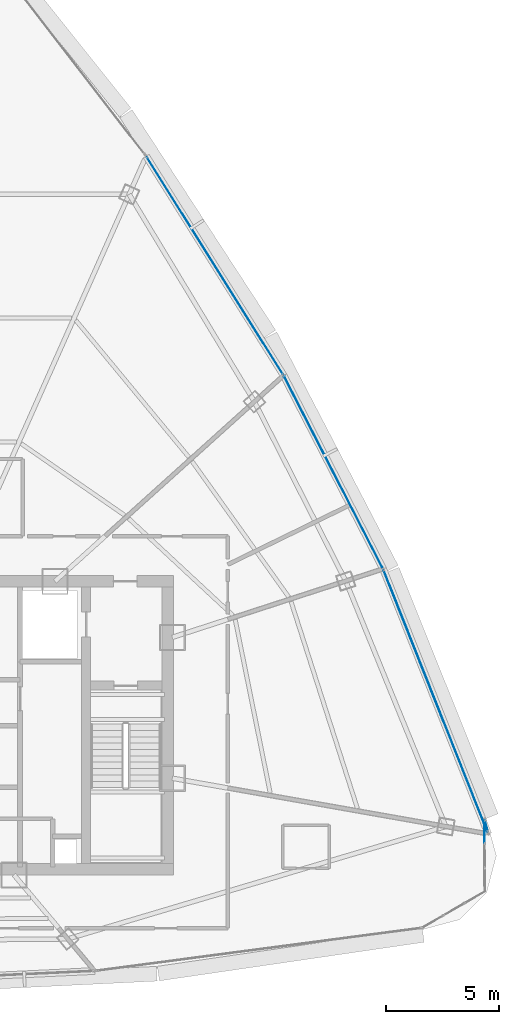
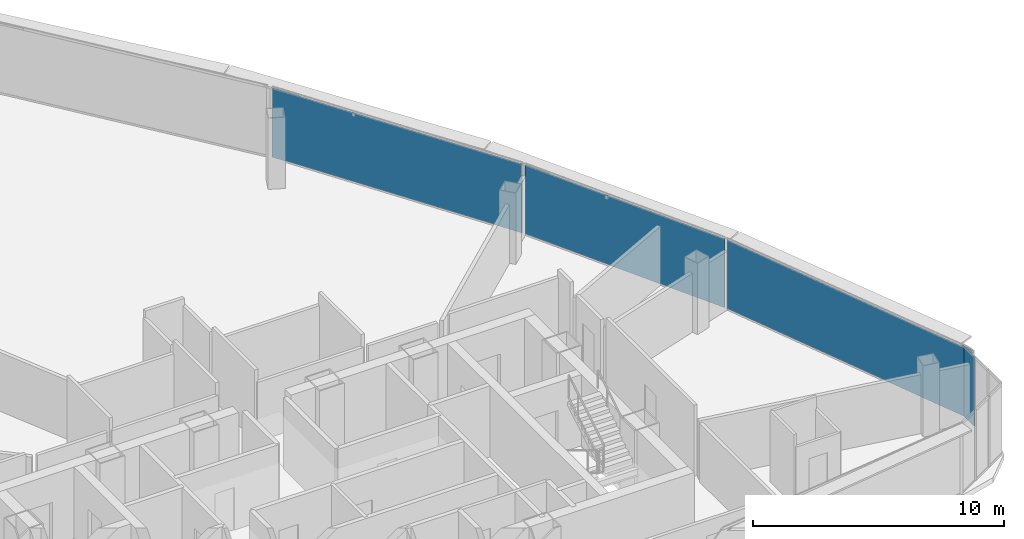
# One storey, part 23 of 29: 5 plates, 5 elements without a shape of their own.
"""IFC4 building model written with IfcOpenShell, lengths in metres."""

import ifcopenshell
import ifcopenshell.guid

model = None  # the IFC model being written
_history = None  # IfcOwnerHistory: only IFC2X3 demands one
_inside = {}  # id of a spatial element -> (the spatial element, [elements in it])
_under = {}  # id of a project, library or spatial element -> (it, [spatial elements below it])
_declared = {}  # id of a project -> (the project, [libraries it declares])
_typed = {}  # id of a type object -> (the type object, [elements of that type])
_made_of = {}  # id of a material, layer set ... -> (it, [elements and type objects made of it])


def new_model(schema):
    """Start an empty IFC model of exactly this schema.

    Asked for "IFC4X3", IfcOpenShell would pick the latest addendum, in which some entities
    have other attributes; the version numbers below select the first issue.
    IFC2X3 requires an IfcOwnerHistory on every rooted entity: one is made here for all.
    """
    global model, _history
    if schema == "IFC4X3":
        model = ifcopenshell.file(schema_version=(4, 3, 0, 0))
    else:
        model = ifcopenshell.file(schema=schema)
    _inside.clear()
    _under.clear()
    _declared.clear()
    _typed.clear()
    _made_of.clear()
    _history = None
    if model.schema == "IFC2X3":
        org = make("IfcOrganization", Name="unknown")
        user = make(
            "IfcPersonAndOrganization",
            ThePerson=make("IfcPerson", FamilyName="unknown"),
            TheOrganization=org,
        )
        app = make(
            "IfcApplication",
            ApplicationDeveloper=org,
            Version="unknown",
            ApplicationFullName="unknown",
            ApplicationIdentifier="unknown",
        )
        _history = make(
            "IfcOwnerHistory",
            OwningUser=user,
            OwningApplication=app,
            ChangeAction="ADDED",
            CreationDate=0,
        )
    return model


def make(cls, **values):
    """One entity of the class cls with the attributes given. An attribute that is None is left unset."""
    return model.create_entity(
        cls, **{name: value for name, value in values.items() if value is not None}
    )


def rooted(cls, **values):
    """An entity with a GlobalId (a new one), such as an element, a storey or a relation."""
    return make(cls, GlobalId=ifcopenshell.guid.new(), OwnerHistory=_history, **values)


def si_unit(unit_type, name, prefix=None):
    """IfcSIUnit, for example si_unit("LENGTHUNIT", "METRE", prefix="MILLI")."""
    return make("IfcSIUnit", UnitType=unit_type, Prefix=prefix, Name=name)


def assignment(units):
    """IfcUnitAssignment: the units of a project."""
    return None if units is None else make("IfcUnitAssignment", Units=units)


def point(xyz):
    """IfcCartesianPoint."""
    return None if xyz is None else make("IfcCartesianPoint", Coordinates=xyz)


def direction(xyz):
    """IfcDirection."""
    return None if xyz is None else make("IfcDirection", DirectionRatios=xyz)


def frame(location, z_axis=None, x_axis=None):
    """IfcAxis2Placement3D, a coordinate frame: its origin and axes. An axis left out is left unset."""
    return make(
        "IfcAxis2Placement3D",
        Location=point(location),
        Axis=direction(z_axis),
        RefDirection=direction(x_axis),
    )


def frame_2d(location, x_axis=None):
    """IfcAxis2Placement2D, a coordinate frame in the plane: its origin and x axis."""
    return make(
        "IfcAxis2Placement2D", Location=point(location), RefDirection=direction(x_axis)
    )


def origin():
    """The frame at (0, 0, 0) with its axes left unset."""
    return frame((0.0, 0.0, 0.0))


def origin_2d():
    """The frame at (0, 0) in the plane with its x axis left unset."""
    return frame_2d((0.0, 0.0))


def place(relative_to, where):
    """IfcLocalPlacement: puts the frame where relative to a parent placement (None: the world)."""
    return make(
        "IfcLocalPlacement", PlacementRelTo=relative_to, RelativePlacement=where
    )


def context(
    kind, dimensions, precision=None, world=None, true_north=None, identifier=None
):
    """IfcGeometricRepresentationContext, for example the 3D "Model" context."""
    return make(
        "IfcGeometricRepresentationContext",
        ContextIdentifier=identifier,
        ContextType=kind,
        CoordinateSpaceDimension=dimensions,
        Precision=precision,
        WorldCoordinateSystem=world,
        TrueNorth=true_north,
    )


def subcontext(parent, identifier, kind, view, scale=None):
    """IfcGeometricRepresentationSubContext, for example "Body" below "Model"."""
    return make(
        "IfcGeometricRepresentationSubContext",
        ContextIdentifier=identifier,
        ContextType=kind,
        ParentContext=parent,
        TargetScale=scale,
        TargetView=view,
    )


def project(units=None, contexts=None):
    """IfcProject with its units and contexts."""
    return rooted(
        "IfcProject",
        Name="project",
        RepresentationContexts=contexts,
        UnitsInContext=assignment(units),
    )


def spatial(cls, under=None, at=None, **own):
    """A site, building, storey or space (cls), placed at a placement, below another one or the project."""
    s = rooted(cls, ObjectPlacement=at, **own)
    if under is not None:
        _under.setdefault(under.id(), (under, []))[1].append(s)
    return s


def profile(cls, at=None, kind="AREA", **sizes):
    """A parametric profile (cls). Its sizes go by their IFC names, for example OverallWidth=200.0."""
    return make(cls, ProfileType=kind, Position=at, **sizes)


def rectangle(**sizes):
    """IfcRectangleProfileDef."""
    return profile("IfcRectangleProfileDef", **sizes)


def extrude(swept, where, along, depth):
    """IfcExtrudedAreaSolid: the profile swept, set in the frame where, extruded along a direction by depth."""
    return make(
        "IfcExtrudedAreaSolid",
        SweptArea=swept,
        Position=where,
        ExtrudedDirection=direction(along),
        Depth=depth,
    )


def shape(context_of_items, identifier, shape_type, items):
    """IfcShapeRepresentation: the items that make up one representation, for example the "Body"."""
    return make(
        "IfcShapeRepresentation",
        ContextOfItems=context_of_items,
        RepresentationIdentifier=identifier,
        RepresentationType=shape_type,
        Items=items,
    )


def source(mapping_origin, context_of_items, identifier, shape_type, items):
    """IfcRepresentationMap: a shape defined once, which mapped items show again and again."""
    return make(
        "IfcRepresentationMap",
        MappingOrigin=mapping_origin,
        MappedRepresentation=shape(context_of_items, identifier, shape_type, items),
    )


def transform(
    local_origin,
    x_axis=None,
    y_axis=None,
    z_axis=None,
    scale=None,
    scale2=None,
    scale3=None,
    uniform=True,
):
    """IfcCartesianTransformationOperator3D, or its non-uniform kind. x_axis, y_axis, z_axis: its Axis1, 2, 3."""
    if uniform:
        return make(
            "IfcCartesianTransformationOperator3D",
            Axis1=direction(x_axis),
            Axis2=direction(y_axis),
            LocalOrigin=point(local_origin),
            Scale=scale,
            Axis3=direction(z_axis),
        )
    return make(
        "IfcCartesianTransformationOperator3DnonUniform",
        Axis1=direction(x_axis),
        Axis2=direction(y_axis),
        LocalOrigin=point(local_origin),
        Scale=scale,
        Axis3=direction(z_axis),
        Scale2=scale2,
        Scale3=scale3,
    )


def mapped(mapping_source, mapping_target):
    """IfcMappedItem: shows the shape of a source again, moved by a transform."""
    return make(
        "IfcMappedItem", MappingSource=mapping_source, MappingTarget=mapping_target
    )


def material(Name=None, Category=None):
    """IfcMaterial."""
    return make("IfcMaterial", Name=Name, Category=Category)


def layer(
    of_material, thickness, ventilated=None, Name=None, Category=None, Priority=None
):
    """IfcMaterialLayer: one layer of a wall or slab, of a material (None: an air gap)."""
    return make(
        "IfcMaterialLayer",
        Material=of_material,
        LayerThickness=thickness,
        IsVentilated=ventilated,
        Name=Name,
        Category=Category,
        Priority=Priority,
    )


def layer_set(layers, Name=None):
    """IfcMaterialLayerSet."""
    return make("IfcMaterialLayerSet", MaterialLayers=layers, LayerSetName=Name)


def made_of(thing, what):
    """Note that an element or type object is made of a material, layer set ...; save() writes the relation."""
    if what is not None:
        _made_of.setdefault(what.id(), (what, []))[1].append(thing)
    return thing


def type_object(cls, material=None, **own):
    """A type object (cls), such as IfcWallType, which elements share."""
    return made_of(rooted(cls, **own), material)


def element(
    cls,
    number,
    at=None,
    inside=None,
    cuts=None,
    type_object=None,
    material=None,
    context=None,
    identifier="Body",
    shape_type=None,
    held_by="IfcProductDefinitionShape",
    body=None,
    shapes=None,
    **own,
):
    """One element of the class cls, such as IfcWall. Its Tag is "e" and its number.

    at: its placement. inside: the storey or other place that contains it. cuts: it is an
    opening in that element (IfcRelVoidsElement). A single representation is given by context,
    identifier, shape_type and body (its items); several are given by shapes. held_by: the class
    of the entity that holds the representations. save() writes the other relations.
    """
    e = rooted(cls, Tag="e%d" % number, ObjectPlacement=at, **own)
    if body is not None:
        shapes = [shape(context, identifier, shape_type, body)]
    if shapes is not None:
        e.Representation = make(held_by, Representations=shapes)
    if inside is not None:
        _inside.setdefault(inside.id(), (inside, []))[1].append(e)
    if cuts is not None:
        rooted(
            "IfcRelVoidsElement", RelatingBuildingElement=cuts, RelatedOpeningElement=e
        )
    if type_object is not None:
        _typed.setdefault(type_object.id(), (type_object, []))[1].append(e)
    return made_of(e, material)


def aggregate(whole, parts):
    """IfcRelAggregates: a whole, such as a stair, and the parts it consists of."""
    return rooted("IfcRelAggregates", RelatingObject=whole, RelatedObjects=parts)


def save(model, path):
    """Write the relations noted so far, then the file.

    IfcRelAggregates (storeys below a building ...), IfcRelContainedInSpatialStructure (elements
    in a storey), IfcRelDefinesByType, IfcRelAssociatesMaterial and IfcRelDeclares: one each for
    every whole, place, type object, material and project.
    """
    for whole, parts in _under.values():
        aggregate(whole, parts)
    for where, things in _inside.values():
        rooted(
            "IfcRelContainedInSpatialStructure",
            RelatedElements=things,
            RelatingStructure=where,
        )
    for kind, things in _typed.values():
        rooted("IfcRelDefinesByType", RelatedObjects=things, RelatingType=kind)
    for what, things in _made_of.values():
        rooted("IfcRelAssociatesMaterial", RelatedObjects=things, RelatingMaterial=what)
    for by, libraries in _declared.values():
        rooted("IfcRelDeclares", RelatingContext=by, RelatedDefinitions=libraries)
    model.write(path)


model = new_model("IFC4")

# Units and contexts
model_context = context("Model", 3, precision=1e-05, world=origin(), true_north=direction((0.0, 1.0)))
body_context = subcontext(model_context, "Body", "Model", "MODEL_VIEW")
ifc_project = project(units=[si_unit("LENGTHUNIT", "METRE"), si_unit("AREAUNIT", "SQUARE_METRE"), si_unit("VOLUMEUNIT", "CUBIC_METRE"), si_unit("PLANEANGLEUNIT", "RADIAN"), si_unit("MASSUNIT", "GRAM", prefix="KILO"), si_unit("THERMODYNAMICTEMPERATUREUNIT", "KELVIN"), si_unit("POWERUNIT", "WATT")], contexts=[model_context])

# Site, building, storey
site_placement = place(None, origin())
site = spatial("IfcSite", under=ifc_project, at=site_placement, CompositionType="ELEMENT")
building_placement = place(site_placement, origin())
building = spatial("IfcBuilding", under=site, at=building_placement, Name="Yunzhuo Pagoda Commons", CompositionType="ELEMENT")
storey_placement = place(building_placement, frame((0.0, 0.0, 363.010009765625)))
storey = spatial("IfcBuildingStorey", under=building, at=storey_placement, Name="L91", CompositionType="ELEMENT", Elevation=363.010009765625)

# Curtain wall, plate
ifc_material_1 = material(Name="Anodized aluminium 6063-T6", Category="aluminium")
ifc_layer_1 = layer(ifc_material_1, 0.139892578125)
ifc_layer_set_1 = layer_set([ifc_layer_1], Name="Anodized aluminium 6063-T6")
curtain_wall_type_1 = type_object("IfcCurtainWallType", Name="CW-HI High-Zone Ribbon Curtain Wall", PredefinedType="NOTDEFINED", material=ifc_layer_set_1)
curtain_wall_1_placement = place(storey_placement, origin())
curtain_wall_1 = element("IfcCurtainWall", 1, at=curtain_wall_1_placement, inside=storey, type_object=curtain_wall_type_1, Name="L91 curtain wall CW-L91-F2B2", PredefinedType="NOTDEFINED")
ifc_material_2 = material(Name="Tempered low-e double glazing", Category="glass")
ifc_layer_2 = layer(ifc_material_2, 0.02587890625)
ifc_layer_set_2 = layer_set([ifc_layer_2], Name="Tempered low-e double glazing")
plate_type_1 = type_object("IfcPlateType", Name="CW-HI-P Low-E Double Glazing 26", PredefinedType="CURTAIN_PANEL", material=ifc_layer_set_2)
shared_shape_1 = source(origin(), body_context, "Body", "SweptSolid", [
    extrude(rectangle(XDim=12.46630859375, YDim=0.028076171875, at=origin_2d()), origin(), (0.0, 0.0, 1.0), 3.360107421875),
])
plate_1_placement = place(storey_placement, frame((72.026611328125, 34.903076171875, 0.05517578125), z_axis=(0.0, 0.0, 1.0), x_axis=(-0.368970270902, 0.929441197274, 0.0)))
plate_1 = element("IfcPlate", 2, at=plate_1_placement, type_object=plate_type_1, Name="CW panel 1.1", PredefinedType="CURTAIN_PANEL", context=body_context, shape_type="MappedRepresentation", body=[
    mapped(shared_shape_1, transform((0.0, 0.0, 0.0), scale=1.0)),
])
aggregate(curtain_wall_1, [plate_1])

curtain_wall_2_placement = place(storey_placement, origin())
curtain_wall_2 = element("IfcCurtainWall", 3, at=curtain_wall_2_placement, inside=storey, type_object=curtain_wall_type_1, Name="L91 curtain wall CW-L91-F2B3", PredefinedType="NOTDEFINED")
shared_shape_2 = source(origin(), body_context, "Body", "SweptSolid", [
    extrude(rectangle(XDim=9.480224609375, YDim=0.028076171875, at=origin_2d()), origin(), (0.0, 0.0, 1.0), 3.360107421875),
])
plate_2_placement = place(storey_placement, frame((67.509521484375, 45.021240234375, 0.05517578125), z_axis=(0.0, 0.0, 1.0), x_axis=(-0.457276461979, 0.889324596151, 0.0)))
plate_2 = element("IfcPlate", 4, at=plate_2_placement, type_object=plate_type_1, Name="CW panel 1.1", PredefinedType="CURTAIN_PANEL", context=body_context, shape_type="MappedRepresentation", body=[
    mapped(shared_shape_2, transform((0.0, 0.0, 0.0), scale=1.0)),
])
aggregate(curtain_wall_2, [plate_2])

curtain_wall_3_placement = place(storey_placement, origin())
curtain_wall_3 = element("IfcCurtainWall", 5, at=curtain_wall_3_placement, inside=storey, type_object=curtain_wall_type_1, Name="L91 curtain wall CW-L91-F2B4", PredefinedType="NOTDEFINED")
shared_shape_3 = source(origin(), body_context, "Body", "SweptSolid", [
    extrude(rectangle(XDim=11.299560546875, YDim=0.028076171875, at=origin_2d()), origin(), (0.0, 0.0, 1.0), 3.360107421875),
])
plate_3_placement = place(storey_placement, frame((62.28173828125, 54.1279296875, 0.05517578125), z_axis=(0.0, 0.0, 1.0), x_axis=(-0.531157896135, 0.847272854146, 0.0)))
plate_3 = element("IfcPlate", 6, at=plate_3_placement, type_object=plate_type_1, Name="CW panel 1.1", PredefinedType="CURTAIN_PANEL", context=body_context, shape_type="MappedRepresentation", body=[
    mapped(shared_shape_3, transform((0.0, 0.0, 0.0), scale=1.0)),
])
aggregate(curtain_wall_3, [plate_3])

curtain_wall_4_placement = place(storey_placement, origin())
curtain_wall_4 = element("IfcCurtainWall", 7, at=curtain_wall_4_placement, inside=storey, type_object=curtain_wall_type_1, Name="L91 curtain wall CW-L91-F2B1", PredefinedType="NOTDEFINED")
shared_shape_4 = source(origin(), body_context, "Body", "SweptSolid", [
    extrude(rectangle(XDim=0.4892578125, YDim=0.028076171875, at=origin_2d()), origin(), (0.0, 0.0, 1.0), 3.360107421875),
])
plate_4_placement = place(storey_placement, frame((74.255859375, 29.422119140625, 0.05517578125), z_axis=(0.0, 0.0, 1.0), x_axis=(0.244234544564, -0.969716189017, 0.0)))
plate_4 = element("IfcPlate", 8, at=plate_4_placement, type_object=plate_type_1, Name="CW panel 1.1", PredefinedType="CURTAIN_PANEL", context=body_context, shape_type="MappedRepresentation", body=[
    mapped(shared_shape_4, transform((0.0, 0.0, 0.0), scale=1.0)),
])
aggregate(curtain_wall_4, [plate_4])

ifc_layer_3 = layer(ifc_material_1, 0.1298828125)
ifc_layer_set_3 = layer_set([ifc_layer_3], Name="Anodized aluminium 6063-T6")
curtain_wall_type_2 = type_object("IfcCurtainWallType", Name="CW-VTX Rounded Corner Curtain Wall", PredefinedType="NOTDEFINED", material=ifc_layer_set_3)
curtain_wall_5_placement = place(storey_placement, origin())
curtain_wall_5 = element("IfcCurtainWall", 9, at=curtain_wall_5_placement, inside=storey, type_object=curtain_wall_type_2, Name="L91 curtain wall CW-L91-VTX2S2", PredefinedType="NOTDEFINED")
ifc_layer_4 = layer(ifc_material_2, 0.02587890625)
ifc_layer_set_4 = layer_set([ifc_layer_4], Name="Tempered low-e double glazing")
plate_type_2 = type_object("IfcPlateType", Name="CW-VTX-P Low-E Double Glazing 26", PredefinedType="CURTAIN_PANEL", material=ifc_layer_set_4)
shared_shape_5 = source(origin(), body_context, "Body", "SweptSolid", [
    extrude(rectangle(XDim=1.001220703125, YDim=0.028076171875, at=origin_2d()), origin(), (0.0, 0.0, 1.0), 3.360107421875),
])
plate_5_placement = place(storey_placement, frame((74.18359375, 29.161865234375, 0.05517578125), z_axis=(0.0, 0.0, 1.0), x_axis=(-0.003598647958, 0.999993524845, 0.0)))
plate_5 = element("IfcPlate", 10, at=plate_5_placement, type_object=plate_type_2, Name="CW panel 3.1", PredefinedType="CURTAIN_PANEL", context=body_context, shape_type="MappedRepresentation", body=[
    mapped(shared_shape_5, transform((0.0, 0.0, 0.0), scale=1.0)),
])
aggregate(curtain_wall_5, [plate_5])

save(model, "model.ifc")
